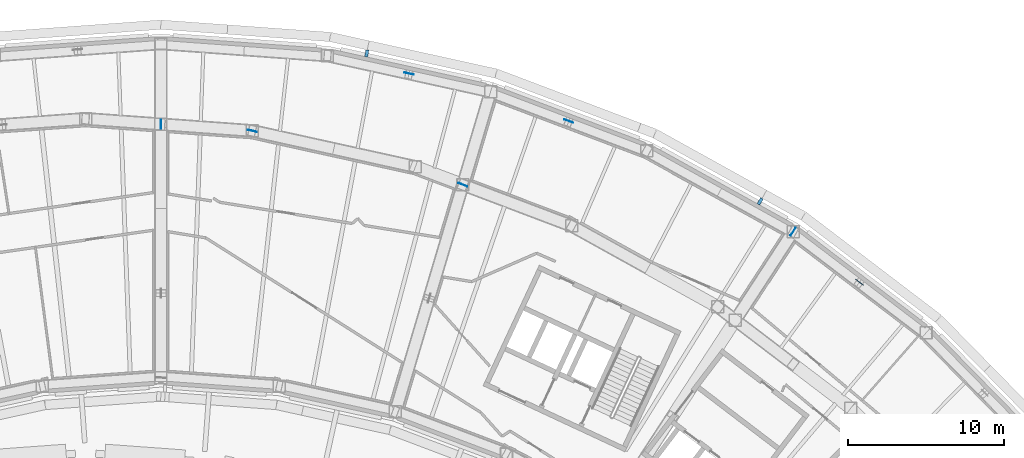
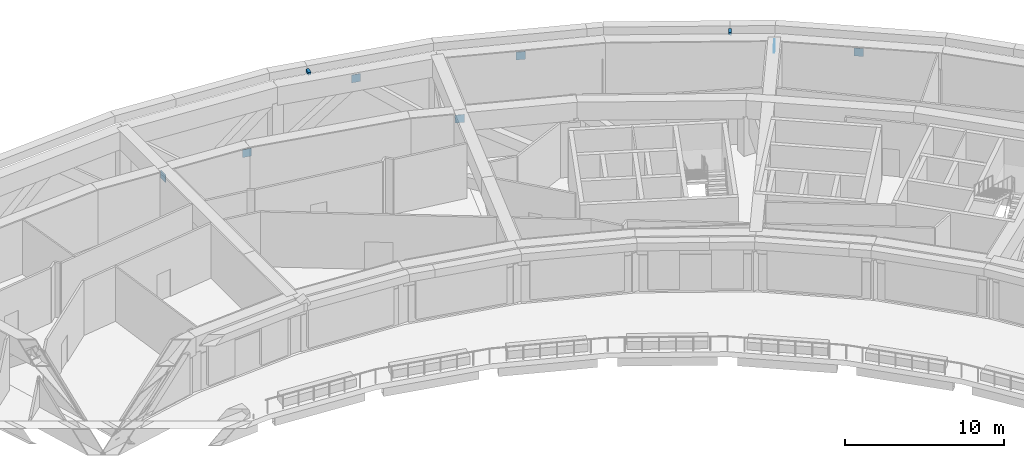
# One storey, part 19 of 25: 9 discrete accessories.
"""IFC4 building model written with IfcOpenShell, lengths in metres."""

from ifc_helpers import new_model, si_unit, direction, frame, origin, origin_2d, place, context, subcontext, project, spatial, rectangle, extrude, material, type_object, element, save


model = new_model("IFC4")

# Units and contexts
model_context = context("Model", 3, precision=1e-05, world=origin(), true_north=direction((0.0, 1.0)))
body_context = subcontext(model_context, "Body", "Model", "MODEL_VIEW")
ifc_project = project(units=[si_unit("LENGTHUNIT", "METRE"), si_unit("AREAUNIT", "SQUARE_METRE"), si_unit("VOLUMEUNIT", "CUBIC_METRE"), si_unit("PLANEANGLEUNIT", "RADIAN"), si_unit("MASSUNIT", "GRAM", prefix="KILO")], contexts=[model_context])

# Site, building, storey
site_placement = place(None, origin())
site = spatial("IfcSite", under=ifc_project, at=site_placement, CompositionType="ELEMENT")
building_placement = place(site_placement, origin())
building = spatial("IfcBuilding", under=site, at=building_placement, Name="Tuul Gate Civic Tower", CompositionType="ELEMENT")
storey_placement = place(building_placement, frame((0.0, 0.0, 60.89990234375)))
storey = spatial("IfcBuildingStorey", under=building, at=storey_placement, Name="Plant and refuge floor 2", CompositionType="ELEMENT", Elevation=60.89990234375)

# Discrete accessories
ifc_material_1 = material(Name="Steel S355", Category="steel")
discrete_accessory_type_1 = type_object("IfcDiscreteAccessoryType", Name="Gusset plate", PredefinedType="BRACKET", material=ifc_material_1)
for number, where, z_axis, x_axis, name in (
    (1, (4.80810546875, 13.550048828125, 3.203369140625), (0.0, 0.0, 1.0), (0.0, 1.0, 0.0), "Gusset plate"),
    (2, (45.2138671875, 6.684814453125, 3.203125), (0.0, 0.0, 1.0), (-0.54674333885, -0.837300257627, 0.0), "Gusset plate"),
    (3, (10.649169921875, 13.127197265625, 3.203125), (0.0, 0.0, 1.0), (0.97656894253, -0.215204787319, 0.0), "Gusset plate"),
    (4, (24.11181640625, 9.68115234375, 3.203369140625), (0.0, 0.0, 1.0), (0.935344056956, -0.35373930389, 0.0), "Gusset plate"),
    (5, (20.67138671875, 16.785888671875, 3.203369140625), (0.0, 0.0, 1.0), (0.976564607871, -0.215224456448, 0.0), "Gusset plate"),
    (6, (49.45849609375, 3.449951171875, 3.203369140625), (0.0, 0.0, 1.0), (0.795629478909, -0.605783568852, 0.0), "Gusset plate"),
    (7, (30.87841796875, 13.7490234375, 3.203369140625), (0.0, 0.0, 1.0), (0.93537504025, -0.353657368194, 0.0), "Gusset plate"),
):
    element("IfcDiscreteAccessory", number, at=place(storey_placement, frame(where, z_axis=z_axis, x_axis=x_axis)), inside=storey, type_object=discrete_accessory_type_1, Name=name, PredefinedType="BRACKET", context=body_context, shape_type="SweptSolid", body=[
        extrude(rectangle(XDim=0.60009765625, YDim=0.030029296875, at=origin_2d()), origin(), (0.0, 0.0, 1.0), 0.60009765625),
    ])
ifc_material_2 = material(Name="Stainless steel", Category="steel")
discrete_accessory_type_2 = type_object("IfcDiscreteAccessoryType", Name="Screen bracket", PredefinedType="BRACKET", material=ifc_material_2)
for number, where, z_axis, x_axis, name in (
    (8, (43.107177734375, 8.621826171875, 4.05029296875), (0.0, 0.0, 1.0), (0.514623611888, 0.857416198872, 0.0), "Screen bracket 4"),
    (9, (17.968505859375, 18.073486328125, 4.05029296875), (0.0, 0.0, 1.0), (0.1767875623, 0.984249032418, 0.0), "Screen bracket 7"),
):
    element("IfcDiscreteAccessory", number, at=place(storey_placement, frame(where, z_axis=z_axis, x_axis=x_axis)), inside=storey, type_object=discrete_accessory_type_2, Name=name, PredefinedType="BRACKET", context=body_context, shape_type="SweptSolid", body=[
        extrude(rectangle(XDim=0.4501953125, YDim=0.199951171875, at=origin_2d()), origin(), (0.0, 0.0, 1.0), 0.199951171875),
    ])

save(model, "model.ifc")
